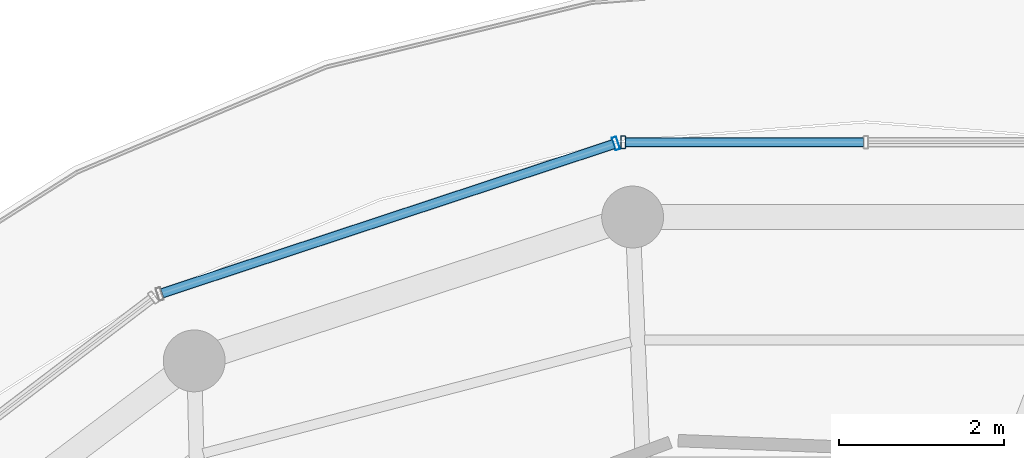
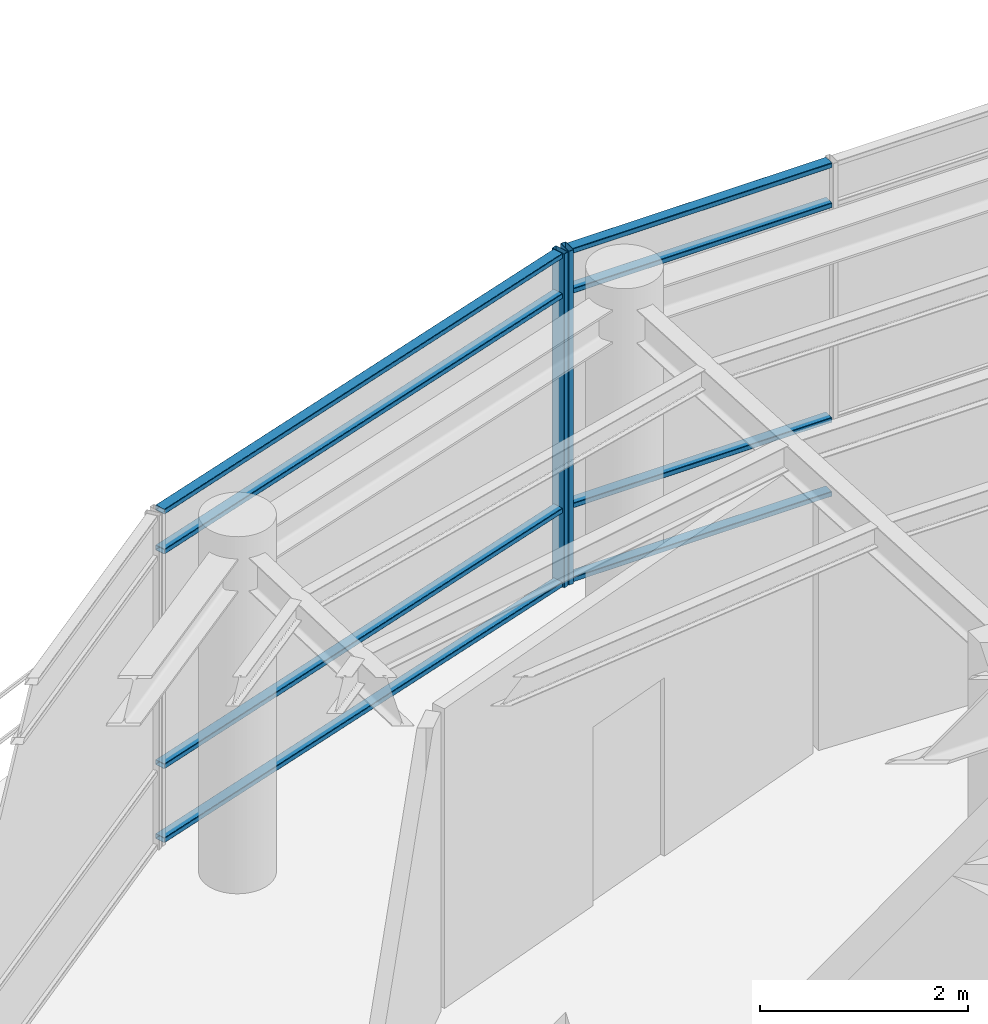
# One storey, part 11 of 20: 10 members, 2 elements without a shape of their own.
"""IFC4 building model written with IfcOpenShell, lengths in metres."""

import ifcopenshell
import ifcopenshell.guid

model = None  # the IFC model being written
_history = None  # IfcOwnerHistory: only IFC2X3 demands one
_inside = {}  # id of a spatial element -> (the spatial element, [elements in it])
_under = {}  # id of a project, library or spatial element -> (it, [spatial elements below it])
_declared = {}  # id of a project -> (the project, [libraries it declares])
_typed = {}  # id of a type object -> (the type object, [elements of that type])
_made_of = {}  # id of a material, layer set ... -> (it, [elements and type objects made of it])


def new_model(schema):
    """Start an empty IFC model of exactly this schema.

    Asked for "IFC4X3", IfcOpenShell would pick the latest addendum, in which some entities
    have other attributes; the version numbers below select the first issue.
    IFC2X3 requires an IfcOwnerHistory on every rooted entity: one is made here for all.
    """
    global model, _history
    if schema == "IFC4X3":
        model = ifcopenshell.file(schema_version=(4, 3, 0, 0))
    else:
        model = ifcopenshell.file(schema=schema)
    _inside.clear()
    _under.clear()
    _declared.clear()
    _typed.clear()
    _made_of.clear()
    _history = None
    if model.schema == "IFC2X3":
        org = make("IfcOrganization", Name="unknown")
        user = make(
            "IfcPersonAndOrganization",
            ThePerson=make("IfcPerson", FamilyName="unknown"),
            TheOrganization=org,
        )
        app = make(
            "IfcApplication",
            ApplicationDeveloper=org,
            Version="unknown",
            ApplicationFullName="unknown",
            ApplicationIdentifier="unknown",
        )
        _history = make(
            "IfcOwnerHistory",
            OwningUser=user,
            OwningApplication=app,
            ChangeAction="ADDED",
            CreationDate=0,
        )
    return model


def make(cls, **values):
    """One entity of the class cls with the attributes given. An attribute that is None is left unset."""
    return model.create_entity(
        cls, **{name: value for name, value in values.items() if value is not None}
    )


def rooted(cls, **values):
    """An entity with a GlobalId (a new one), such as an element, a storey or a relation."""
    return make(cls, GlobalId=ifcopenshell.guid.new(), OwnerHistory=_history, **values)


def si_unit(unit_type, name, prefix=None):
    """IfcSIUnit, for example si_unit("LENGTHUNIT", "METRE", prefix="MILLI")."""
    return make("IfcSIUnit", UnitType=unit_type, Prefix=prefix, Name=name)


def assignment(units):
    """IfcUnitAssignment: the units of a project."""
    return None if units is None else make("IfcUnitAssignment", Units=units)


def point(xyz):
    """IfcCartesianPoint."""
    return None if xyz is None else make("IfcCartesianPoint", Coordinates=xyz)


def direction(xyz):
    """IfcDirection."""
    return None if xyz is None else make("IfcDirection", DirectionRatios=xyz)


def frame(location, z_axis=None, x_axis=None):
    """IfcAxis2Placement3D, a coordinate frame: its origin and axes. An axis left out is left unset."""
    return make(
        "IfcAxis2Placement3D",
        Location=point(location),
        Axis=direction(z_axis),
        RefDirection=direction(x_axis),
    )


def frame_2d(location, x_axis=None):
    """IfcAxis2Placement2D, a coordinate frame in the plane: its origin and x axis."""
    return make(
        "IfcAxis2Placement2D", Location=point(location), RefDirection=direction(x_axis)
    )


def origin():
    """The frame at (0, 0, 0) with its axes left unset."""
    return frame((0.0, 0.0, 0.0))


def origin_2d():
    """The frame at (0, 0) in the plane with its x axis left unset."""
    return frame_2d((0.0, 0.0))


def place(relative_to, where):
    """IfcLocalPlacement: puts the frame where relative to a parent placement (None: the world)."""
    return make(
        "IfcLocalPlacement", PlacementRelTo=relative_to, RelativePlacement=where
    )


def context(
    kind, dimensions, precision=None, world=None, true_north=None, identifier=None
):
    """IfcGeometricRepresentationContext, for example the 3D "Model" context."""
    return make(
        "IfcGeometricRepresentationContext",
        ContextIdentifier=identifier,
        ContextType=kind,
        CoordinateSpaceDimension=dimensions,
        Precision=precision,
        WorldCoordinateSystem=world,
        TrueNorth=true_north,
    )


def subcontext(parent, identifier, kind, view, scale=None):
    """IfcGeometricRepresentationSubContext, for example "Body" below "Model"."""
    return make(
        "IfcGeometricRepresentationSubContext",
        ContextIdentifier=identifier,
        ContextType=kind,
        ParentContext=parent,
        TargetScale=scale,
        TargetView=view,
    )


def project(units=None, contexts=None):
    """IfcProject with its units and contexts."""
    return rooted(
        "IfcProject",
        Name="project",
        RepresentationContexts=contexts,
        UnitsInContext=assignment(units),
    )


def spatial(cls, under=None, at=None, **own):
    """A site, building, storey or space (cls), placed at a placement, below another one or the project."""
    s = rooted(cls, ObjectPlacement=at, **own)
    if under is not None:
        _under.setdefault(under.id(), (under, []))[1].append(s)
    return s


def profile(cls, at=None, kind="AREA", **sizes):
    """A parametric profile (cls). Its sizes go by their IFC names, for example OverallWidth=200.0."""
    return make(cls, ProfileType=kind, Position=at, **sizes)


def hollow_rectangle(**sizes):
    """IfcRectangleHollowProfileDef."""
    return profile("IfcRectangleHollowProfileDef", **sizes)


def extrude(swept, where, along, depth):
    """IfcExtrudedAreaSolid: the profile swept, set in the frame where, extruded along a direction by depth."""
    return make(
        "IfcExtrudedAreaSolid",
        SweptArea=swept,
        Position=where,
        ExtrudedDirection=direction(along),
        Depth=depth,
    )


def shape(context_of_items, identifier, shape_type, items):
    """IfcShapeRepresentation: the items that make up one representation, for example the "Body"."""
    return make(
        "IfcShapeRepresentation",
        ContextOfItems=context_of_items,
        RepresentationIdentifier=identifier,
        RepresentationType=shape_type,
        Items=items,
    )


def material(Name=None, Category=None):
    """IfcMaterial."""
    return make("IfcMaterial", Name=Name, Category=Category)


def layer(
    of_material, thickness, ventilated=None, Name=None, Category=None, Priority=None
):
    """IfcMaterialLayer: one layer of a wall or slab, of a material (None: an air gap)."""
    return make(
        "IfcMaterialLayer",
        Material=of_material,
        LayerThickness=thickness,
        IsVentilated=ventilated,
        Name=Name,
        Category=Category,
        Priority=Priority,
    )


def layer_set(layers, Name=None):
    """IfcMaterialLayerSet."""
    return make("IfcMaterialLayerSet", MaterialLayers=layers, LayerSetName=Name)


def material_profile(
    of_material, cross_section, Name=None, Category=None, Priority=None
):
    """IfcMaterialProfile: a cross section and its material."""
    return make(
        "IfcMaterialProfile",
        Name=Name,
        Material=of_material,
        Profile=cross_section,
        Priority=Priority,
        Category=Category,
    )


def profile_set(profiles, Name=None, composite=None):
    """IfcMaterialProfileSet."""
    return make(
        "IfcMaterialProfileSet",
        Name=Name,
        MaterialProfiles=profiles,
        CompositeProfile=composite,
    )


def made_of(thing, what):
    """Note that an element or type object is made of a material, layer set ...; save() writes the relation."""
    if what is not None:
        _made_of.setdefault(what.id(), (what, []))[1].append(thing)
    return thing


def type_object(cls, material=None, **own):
    """A type object (cls), such as IfcWallType, which elements share."""
    return made_of(rooted(cls, **own), material)


def element(
    cls,
    number,
    at=None,
    inside=None,
    cuts=None,
    type_object=None,
    material=None,
    context=None,
    identifier="Body",
    shape_type=None,
    held_by="IfcProductDefinitionShape",
    body=None,
    shapes=None,
    **own,
):
    """One element of the class cls, such as IfcWall. Its Tag is "e" and its number.

    at: its placement. inside: the storey or other place that contains it. cuts: it is an
    opening in that element (IfcRelVoidsElement). A single representation is given by context,
    identifier, shape_type and body (its items); several are given by shapes. held_by: the class
    of the entity that holds the representations. save() writes the other relations.
    """
    e = rooted(cls, Tag="e%d" % number, ObjectPlacement=at, **own)
    if body is not None:
        shapes = [shape(context, identifier, shape_type, body)]
    if shapes is not None:
        e.Representation = make(held_by, Representations=shapes)
    if inside is not None:
        _inside.setdefault(inside.id(), (inside, []))[1].append(e)
    if cuts is not None:
        rooted(
            "IfcRelVoidsElement", RelatingBuildingElement=cuts, RelatedOpeningElement=e
        )
    if type_object is not None:
        _typed.setdefault(type_object.id(), (type_object, []))[1].append(e)
    return made_of(e, material)


def aggregate(whole, parts):
    """IfcRelAggregates: a whole, such as a stair, and the parts it consists of."""
    return rooted("IfcRelAggregates", RelatingObject=whole, RelatedObjects=parts)


def save(model, path):
    """Write the relations noted so far, then the file.

    IfcRelAggregates (storeys below a building ...), IfcRelContainedInSpatialStructure (elements
    in a storey), IfcRelDefinesByType, IfcRelAssociatesMaterial and IfcRelDeclares: one each for
    every whole, place, type object, material and project.
    """
    for whole, parts in _under.values():
        aggregate(whole, parts)
    for where, things in _inside.values():
        rooted(
            "IfcRelContainedInSpatialStructure",
            RelatedElements=things,
            RelatingStructure=where,
        )
    for kind, things in _typed.values():
        rooted("IfcRelDefinesByType", RelatedObjects=things, RelatingType=kind)
    for what, things in _made_of.values():
        rooted("IfcRelAssociatesMaterial", RelatedObjects=things, RelatingMaterial=what)
    for by, libraries in _declared.values():
        rooted("IfcRelDeclares", RelatingContext=by, RelatedDefinitions=libraries)
    model.write(path)


model = new_model("IFC4")

# Units and contexts
model_context = context("Model", 3, precision=1e-05, world=origin(), true_north=direction((0.0, 1.0)))
body_context = subcontext(model_context, "Body", "Model", "MODEL_VIEW")
ifc_project = project(units=[si_unit("LENGTHUNIT", "METRE"), si_unit("AREAUNIT", "SQUARE_METRE"), si_unit("VOLUMEUNIT", "CUBIC_METRE"), si_unit("PLANEANGLEUNIT", "RADIAN"), si_unit("MASSUNIT", "GRAM", prefix="KILO")], contexts=[model_context])

# Site, building, storey
site_placement = place(None, origin())
site = spatial("IfcSite", under=ifc_project, at=site_placement, CompositionType="ELEMENT")
building_placement = place(site_placement, origin())
building = spatial("IfcBuilding", under=site, at=building_placement, Name="Kelanora Arch Commons", CompositionType="ELEMENT")
storey_placement = place(building_placement, frame((0.0, 0.0, 298.5)))
storey = spatial("IfcBuildingStorey", under=building, at=storey_placement, Name="L76", CompositionType="ELEMENT", Elevation=298.5)

# Curtain wall, member
ifc_material_1 = material(Name="Terracotta ceramic-fritted low-E glass and aluminium", Category="masonry")
ifc_layer = layer(ifc_material_1, 0.14990234375)
ifc_layer_set = layer_set([ifc_layer], Name="Terracotta ceramic-fritted low-E glass and aluminium")
curtain_wall_type = type_object("IfcCurtainWallType", Name="CW-SYS-06", PredefinedType="NOTDEFINED", material=ifc_layer_set)
curtain_wall_1_placement = place(storey_placement, origin())
curtain_wall_1 = element("IfcCurtainWall", 1, at=curtain_wall_1_placement, inside=storey, type_object=curtain_wall_type, Name="Unitised Curtain Wall L76-B04", PredefinedType="NOTDEFINED")
ifc_material_2 = material(Name="Powder-coated aluminium terracotta", Category="masonry")
ifc_material_profile_1 = material_profile(ifc_material_2, hollow_rectangle(XDim=0.159912109375, YDim=0.06005859375, WallThickness=0.0048828125, InnerFilletRadius=0.0048828125, OuterFilletRadius=0.010009765625, at=origin_2d()), Name="CWM160x60")
ifc_profile_set_1 = profile_set([ifc_material_profile_1], Name="Powder-coated aluminium terracotta")
member_type_1 = type_object("IfcMemberType", Name="CWM-STD", PredefinedType="MULLION", material=ifc_profile_set_1)
member_1_placement = place(storey_placement, frame((71.058349609375, 73.363037109375, 0.0), z_axis=(0.0, 0.0, 1.0), x_axis=(0.0, -1.0, 0.0)))
member_1 = element("IfcMember", 2, at=member_1_placement, type_object=member_type_1, Name="CW-06 mullion 3", PredefinedType="MULLION", context=body_context, shape_type="SweptSolid", body=[
    extrude(hollow_rectangle(XDim=0.159912109375, YDim=0.06005859375, WallThickness=0.0048828125, InnerFilletRadius=0.0048828125, OuterFilletRadius=0.010009765625, at=origin_2d()), origin(), (0.0, 0.0, 1.0), 3.925048828125),
])

curtain_wall_2_placement = place(storey_placement, origin())
curtain_wall_2 = element("IfcCurtainWall", 3, at=curtain_wall_2_placement, inside=storey, type_object=curtain_wall_type, Name="Unitised Curtain Wall L76-B05", PredefinedType="NOTDEFINED")
member_2_placement = place(storey_placement, frame((70.970703125, 73.348876953125, 0.0), z_axis=(0.0, 0.0, 1.0), x_axis=(0.313466845323, -0.949599145368, 0.0)))
member_2 = element("IfcMember", 4, at=member_2_placement, type_object=member_type_1, Name="CW-06 mullion 1", PredefinedType="MULLION", context=body_context, shape_type="SweptSolid", body=[
    extrude(hollow_rectangle(XDim=0.159912109375, YDim=0.06005859375, WallThickness=0.0048828125, InnerFilletRadius=0.0048828125, OuterFilletRadius=0.010009765625, at=origin_2d()), origin(), (0.0, 0.0, 1.0), 3.925048828125),
])

# Member
ifc_material_profile_2 = material_profile(ifc_material_2, hollow_rectangle(XDim=0.1201171875, YDim=0.06005859375, WallThickness=0.0048828125, InnerFilletRadius=0.0048828125, OuterFilletRadius=0.010009765625, at=origin_2d()), Name="CWT120x60")
ifc_profile_set_2 = profile_set([ifc_material_profile_2], Name="Powder-coated aluminium terracotta")
member_type_2 = type_object("IfcMemberType", Name="CWT-STD", PredefinedType="USERDEFINED", material=ifc_profile_set_2)
member_3_placement = place(storey_placement, frame((73.969970703125, 73.363037109375, 0.030029296875), z_axis=(-1.0, 0.0, 0.0), x_axis=(0.0, -1.0, 0.0)))
member_3 = element("IfcMember", 5, at=member_3_placement, type_object=member_type_2, Name="CW-06 transom 2.1", ObjectType="TRANSOM", PredefinedType="USERDEFINED", context=body_context, shape_type="SweptSolid", body=[
    extrude(hollow_rectangle(XDim=0.1201171875, YDim=0.06005859375, WallThickness=0.0048828125, InnerFilletRadius=0.0048828125, OuterFilletRadius=0.010009765625, at=origin_2d()), origin(), (0.0, 0.0, 1.0), 2.881591796875),
])

member_4_placement = place(storey_placement, frame((73.969970703125, 73.363037109375, 0.89990234375), z_axis=(-1.0, 0.0, 0.0), x_axis=(0.0, -1.0, 0.0)))
member_4 = element("IfcMember", 6, at=member_4_placement, type_object=member_type_2, Name="CW-06 transom 2.2", ObjectType="TRANSOM", PredefinedType="USERDEFINED", context=body_context, shape_type="SweptSolid", body=[
    extrude(hollow_rectangle(XDim=0.1201171875, YDim=0.06005859375, WallThickness=0.0048828125, InnerFilletRadius=0.0048828125, OuterFilletRadius=0.010009765625, at=origin_2d()), origin(), (0.0, 0.0, 1.0), 2.881591796875),
])

member_5_placement = place(storey_placement, frame((73.969970703125, 73.363037109375, 3.425048828125), z_axis=(-1.0, 0.0, 0.0), x_axis=(0.0, -1.0, 0.0)))
member_5 = element("IfcMember", 7, at=member_5_placement, type_object=member_type_2, Name="CW-06 transom 2.3", ObjectType="TRANSOM", PredefinedType="USERDEFINED", context=body_context, shape_type="SweptSolid", body=[
    extrude(hollow_rectangle(XDim=0.1201171875, YDim=0.06005859375, WallThickness=0.0048828125, InnerFilletRadius=0.0048828125, OuterFilletRadius=0.010009765625, at=origin_2d()), origin(), (0.0, 0.0, 1.0), 2.881591796875),
])

member_6_placement = place(storey_placement, frame((73.969970703125, 73.363037109375, 3.89501953125), z_axis=(-1.0, 0.0, 0.0), x_axis=(0.0, -1.0, 0.0)))
member_6 = element("IfcMember", 8, at=member_6_placement, type_object=member_type_2, Name="CW-06 transom 2.4", ObjectType="TRANSOM", PredefinedType="USERDEFINED", context=body_context, shape_type="SweptSolid", body=[
    extrude(hollow_rectangle(XDim=0.1201171875, YDim=0.06005859375, WallThickness=0.0048828125, InnerFilletRadius=0.0048828125, OuterFilletRadius=0.010009765625, at=origin_2d()), origin(), (0.0, 0.0, 1.0), 2.881591796875),
])

aggregate(curtain_wall_1, [member_1, member_3, member_4, member_5, member_6])

member_7_placement = place(storey_placement, frame((70.942138671875, 73.339599609375, 0.030029296875), z_axis=(-0.949590431956, -0.31349324002, 0.0), x_axis=(0.31349324002, -0.949590431956, 0.0)))
member_7 = element("IfcMember", 9, at=member_7_placement, type_object=member_type_2, Name="CW-06 transom 1.1", ObjectType="TRANSOM", PredefinedType="USERDEFINED", context=body_context, shape_type="SweptSolid", body=[
    extrude(hollow_rectangle(XDim=0.1201171875, YDim=0.06005859375, WallThickness=0.0048828125, InnerFilletRadius=0.0048828125, OuterFilletRadius=0.010009765625, at=origin_2d()), origin(), (0.0, 0.0, 1.0), 5.761474609375),
])

member_8_placement = place(storey_placement, frame((70.942138671875, 73.339599609375, 0.89990234375), z_axis=(-0.949590431956, -0.31349324002, 0.0), x_axis=(0.31349324002, -0.949590431956, 0.0)))
member_8 = element("IfcMember", 10, at=member_8_placement, type_object=member_type_2, Name="CW-06 transom 1.2", ObjectType="TRANSOM", PredefinedType="USERDEFINED", context=body_context, shape_type="SweptSolid", body=[
    extrude(hollow_rectangle(XDim=0.1201171875, YDim=0.06005859375, WallThickness=0.0048828125, InnerFilletRadius=0.0048828125, OuterFilletRadius=0.010009765625, at=origin_2d()), origin(), (0.0, 0.0, 1.0), 5.761474609375),
])

member_9_placement = place(storey_placement, frame((70.942138671875, 73.339599609375, 3.425048828125), z_axis=(-0.949590431956, -0.31349324002, 0.0), x_axis=(0.31349324002, -0.949590431956, 0.0)))
member_9 = element("IfcMember", 11, at=member_9_placement, type_object=member_type_2, Name="CW-06 transom 1.3", ObjectType="TRANSOM", PredefinedType="USERDEFINED", context=body_context, shape_type="SweptSolid", body=[
    extrude(hollow_rectangle(XDim=0.1201171875, YDim=0.06005859375, WallThickness=0.0048828125, InnerFilletRadius=0.0048828125, OuterFilletRadius=0.010009765625, at=origin_2d()), origin(), (0.0, 0.0, 1.0), 5.761474609375),
])

member_10_placement = place(storey_placement, frame((70.942138671875, 73.339599609375, 3.89501953125), z_axis=(-0.949590431956, -0.31349324002, 0.0), x_axis=(0.31349324002, -0.949590431956, 0.0)))
member_10 = element("IfcMember", 12, at=member_10_placement, type_object=member_type_2, Name="CW-06 transom 1.4", ObjectType="TRANSOM", PredefinedType="USERDEFINED", context=body_context, shape_type="SweptSolid", body=[
    extrude(hollow_rectangle(XDim=0.1201171875, YDim=0.06005859375, WallThickness=0.0048828125, InnerFilletRadius=0.0048828125, OuterFilletRadius=0.010009765625, at=origin_2d()), origin(), (0.0, 0.0, 1.0), 5.761474609375),
])

aggregate(curtain_wall_2, [member_2, member_7, member_8, member_9, member_10])

save(model, "model.ifc")
